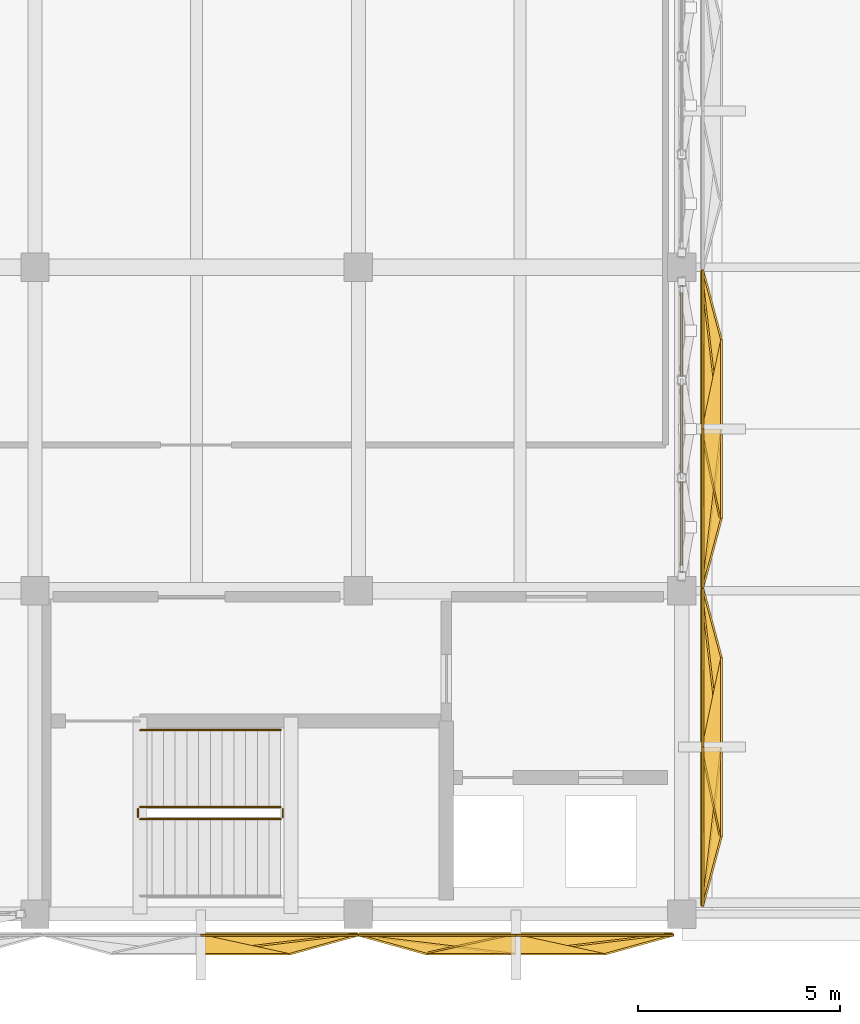
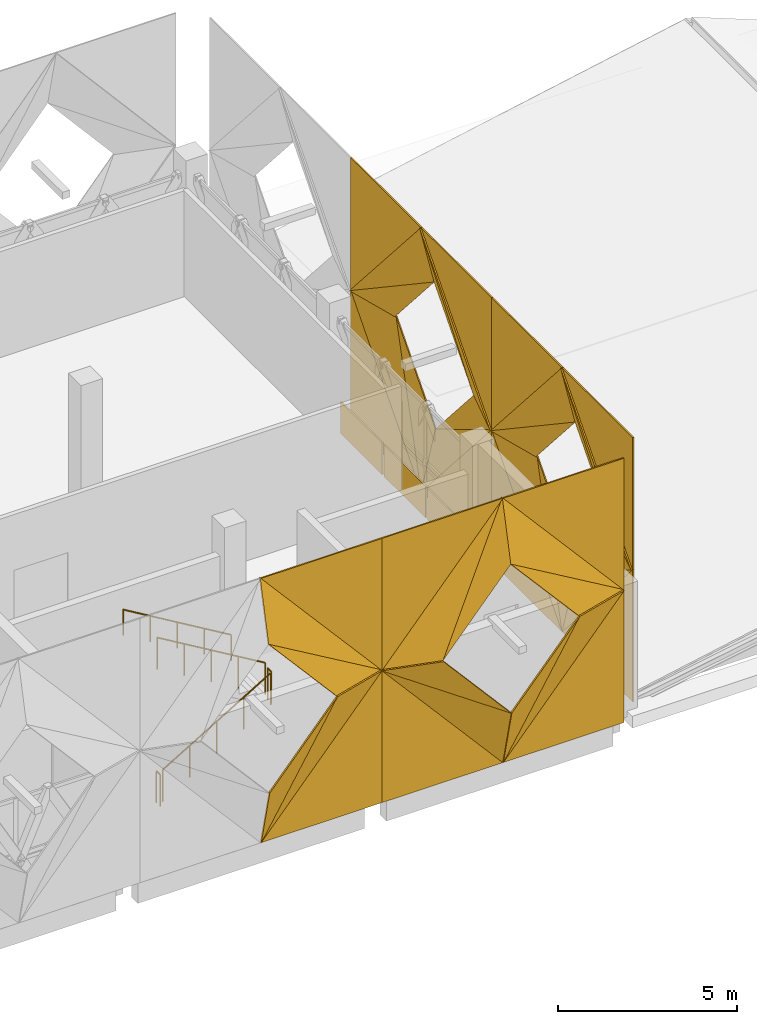
# One storey, part 32 of 37: 45 coverings, 5 railings.
"""IFC4 building model written with IfcOpenShell, lengths in metres."""

from ifc_helpers import new_model, si_unit, direction, frame, origin, origin_2d, place, context, subcontext, project, spatial, polyline, rectangle, circle, outline, extrude, material, layer, layer_set, type_object, element, save


model = new_model("IFC4")

# Units and contexts
model_context = context("Model", 3, precision=1e-05, world=origin(), true_north=direction((0.0, 1.0)))
body_context = subcontext(model_context, "Body", "Model", "MODEL_VIEW")
ifc_project = project(units=[si_unit("LENGTHUNIT", "METRE"), si_unit("AREAUNIT", "SQUARE_METRE"), si_unit("VOLUMEUNIT", "CUBIC_METRE"), si_unit("PLANEANGLEUNIT", "RADIAN"), si_unit("MASSUNIT", "GRAM", prefix="KILO")], contexts=[model_context])

# Site, building, storey
site_placement = place(None, origin())
site = spatial("IfcSite", under=ifc_project, at=site_placement, CompositionType="ELEMENT")
building_placement = place(site_placement, origin())
building = spatial("IfcBuilding", under=site, at=building_placement, Name="Qorikala Patio Media Centre", CompositionType="ELEMENT")
storey_placement = place(building_placement, frame((0.0, 0.0, 14.39990234375)))
storey = spatial("IfcBuildingStorey", under=building, at=storey_placement, Name="L03", CompositionType="ELEMENT", Elevation=14.39990234375)

# Coverings
ifc_material_1 = material(Name="Golden Bronze Anodised Aluminium Panel", Category="aluminium")
ifc_layer = layer(ifc_material_1, 0.044921875)
ifc_layer_set = layer_set([ifc_layer], Name="Golden Bronze Anodised Aluminium Panel")
covering_type = type_object("IfcCoveringType", Name="COV-CLAD-GOLD", PredefinedType="CLADDING", material=ifc_layer_set)
for number, where, z_axis, x_axis, name in (
    (1, (98.0, 17.4267578125, 0.0), (0.0, 0.0, 1.0), (0.0, -1.0, 0.0), "L03 Golden Diamond Fold Spandrel 076"),
    (2, (98.0, 15.0, 0.0), (0.0, 0.0, 1.0), (0.0, -1.0, 0.0), "L03 Golden Diamond Fold Spandrel 077"),
    (3, (98.0, 12.5732421875, 0.0), (0.0, 0.0, 1.0), (0.0, -1.0, 0.0), "L03 Golden Diamond Fold Spandrel 078"),
):
    element("IfcCovering", number, at=place(storey_placement, frame(where, z_axis=z_axis, x_axis=x_axis)), inside=storey, type_object=covering_type, Name=name, PredefinedType="CLADDING", context=body_context, shape_type="SweptSolid", body=[
        extrude(rectangle(XDim=2.32666015625, YDim=0.044921875, at=origin_2d()), origin(), (0.0, 0.0, 1.0), 1.077880859375),
    ])
covering_1_placement = place(storey_placement, frame((90.0, 2.5, 4.5), z_axis=(0.259973591034, -0.938962979761, 0.225304803775), x_axis=(-0.654921173069, 0.0, 0.755697199324)))
element("IfcCovering", 4, at=covering_1_placement, inside=storey, type_object=covering_type, Name="Golden Folded Diamond Facet S-2.6.TRA", PredefinedType="CLADDING", context=body_context, shape_type="SweptSolid", body=[
    extrude(outline(polyline([(0.0, 0.0), (5.9547660147806605, -4.440892098500626e-16), (4.458500319829892, 1.3810247679600853), (0.0, 0.0)])), origin(), (0.0, 0.0, -1.0), 0.044921875),
])
covering_2_placement = place(storey_placement, frame((90.0, 2.5, 4.5), z_axis=(0.25995773344, -0.938973745299, 0.225278233445), x_axis=(-0.83554610606, -0.10178870179, 0.539909033852)))
element("IfcCovering", 5, at=covering_2_placement, inside=storey, type_object=covering_type, Name="Golden Folded Diamond Facet S-2.6.TRB", PredefinedType="CLADDING", context=body_context, shape_type="SweptSolid", body=[
    extrude(outline(polyline([(0.0, 0.0), (4.667489101395145, -4.440892098500626e-16), (1.4822105452103993, 0.9867354710967576), (0.0, 0.0)])), origin(), (0.0, 0.0, -1.0), 0.044921875),
])
covering_3_placement = place(storey_placement, frame((86.10009765625, 2.5, 0.0), z_axis=(-0.259956982212, 0.938971031843, 0.225290409823), x_axis=(0.654921173069, 0.0, 0.755697199324)))
element("IfcCovering", 6, at=covering_3_placement, inside=storey, type_object=covering_type, Name="Golden Folded Diamond Facet S-2.6.BRA", PredefinedType="CLADDING", context=body_context, shape_type="SweptSolid", body=[
    extrude(outline(polyline([(0.0, 0.0), (5.9547660147806605, -4.440892098500626e-16), (4.830879070078474, -1.38111300253869), (0.0, 0.0)])), origin(), (0.0, 0.0, -1.0), 0.044921875),
])
covering_4_placement = place(storey_placement, frame((86.10009765625, 2.5, 0.0), z_axis=(-0.259987393467, 0.938959366186, 0.225303936695), x_axis=(0.434644175798, -0.094557581454, 0.895624533069)))
element("IfcCovering", 7, at=covering_4_placement, inside=storey, type_object=covering_type, Name="Golden Folded Diamond Facet S-2.6.BRB", PredefinedType="CLADDING", context=body_context, shape_type="SweptSolid", body=[
    extrude(outline(polyline([(0.0, 0.0), (5.02442690418556, -2.220446049250313e-16), (1.8182431681390123, -0.9165327168855022), (0.0, 0.0)])), origin(), (0.0, 0.0, -1.0), 0.044921875),
])
covering_5_placement = place(storey_placement, frame((90.0, 2.5, 9.0), z_axis=(0.0, 1.0, 0.0), x_axis=(0.0, 0.0, -1.0)))
element("IfcCovering", 8, at=covering_5_placement, inside=storey, type_object=covering_type, Name="Golden Diamond Valley Spandrel S-2.6.CTR", PredefinedType="CLADDING", context=body_context, shape_type="SweptSolid", body=[
    extrude(outline(polyline([(0.0, 0.0), (4.5, 0.0), (0.0, 3.89990234375), (0.0, 0.0)])), origin(), (0.0, 0.0, -1.0), 0.044921875),
])
covering_6_placement = place(storey_placement, frame((90.0, 2.5, 0.0), z_axis=(0.0, 1.0, 0.0), x_axis=(-1.0, 0.0, 0.0)))
element("IfcCovering", 9, at=covering_6_placement, inside=storey, type_object=covering_type, Name="Golden Diamond Valley Spandrel S-2.6.CBR", PredefinedType="CLADDING", context=body_context, shape_type="SweptSolid", body=[
    extrude(outline(polyline([(0.0, 0.0), (3.89990234375, 0.0), (0.0, 4.5), (0.0, 0.0)])), origin(), (0.0, 0.0, -1.0), 0.044921875),
])
covering_7_placement = place(storey_placement, frame((93.89990234375, 2.5, 9.0), z_axis=(-0.259956982212, -0.938971031843, 0.225290409823), x_axis=(-0.654921173069, 0.0, -0.755697199324)))
element("IfcCovering", 10, at=covering_7_placement, inside=storey, type_object=covering_type, Name="Golden Folded Diamond Facet S-2.7.TLA", PredefinedType="CLADDING", context=body_context, shape_type="SweptSolid", body=[
    extrude(outline(polyline([(0.0, 0.0), (5.9547660147806605, 4.440892098500626e-16), (4.830879070078474, 1.38111300253869), (0.0, 0.0)])), origin(), (0.0, 0.0, -1.0), 0.044921875),
])
covering_8_placement = place(storey_placement, frame((93.89990234375, 2.5, 9.0), z_axis=(-0.259987393467, -0.938959366186, 0.225303936695), x_axis=(-0.434644175798, -0.094557581454, -0.895624533069)))
element("IfcCovering", 11, at=covering_8_placement, inside=storey, type_object=covering_type, Name="Golden Folded Diamond Facet S-2.7.TLB", PredefinedType="CLADDING", context=body_context, shape_type="SweptSolid", body=[
    extrude(outline(polyline([(0.0, 0.0), (5.02442690418556, 2.220446049250313e-16), (1.8182431681390123, 0.9165327168855022), (0.0, 0.0)])), origin(), (0.0, 0.0, -1.0), 0.044921875),
])
covering_9_placement = place(storey_placement, frame((97.800048828125, 2.5, 4.5), z_axis=(0.259958417044, -0.938966952181, 0.22530575696), x_axis=(-0.654944585876, 0.0, 0.755676908098)))
element("IfcCovering", 12, at=covering_9_placement, inside=storey, type_object=covering_type, Name="Golden Folded Diamond Facet S-2.7.TRA", PredefinedType="CLADDING", context=body_context, shape_type="SweptSolid", body=[
    extrude(outline(polyline([(0.0, 0.0), (5.954925910503226, 0.0), (4.458700391784378, 1.3810682954655882), (0.0, 0.0)])), origin(), (0.0, 0.0, -1.0), 0.044921875),
])
covering_10_placement = place(storey_placement, frame((97.800048828125, 2.5, 4.5), z_axis=(0.259956258476, -0.938968417692, 0.225302139927), x_axis=(-0.835561894446, -0.101784253308, 0.539885438152)))
element("IfcCovering", 13, at=covering_10_placement, inside=storey, type_object=covering_type, Name="Golden Folded Diamond Facet S-2.7.TRB", PredefinedType="CLADDING", context=body_context, shape_type="SweptSolid", body=[
    extrude(outline(polyline([(0.0, 0.0), (4.667693094071031, 8.881784197001252e-16), (1.4822355256344402, 0.9866979460810914), (0.0, 0.0)])), origin(), (0.0, 0.0, -1.0), 0.044921875),
])
covering_11_placement = place(storey_placement, frame((93.89990234375, 2.5, 0.0), z_axis=(-0.259956156203, 0.938968048279, 0.22530379749), x_axis=(0.654944585876, 0.0, 0.755676908098)))
element("IfcCovering", 14, at=covering_11_placement, inside=storey, type_object=covering_type, Name="Golden Folded Diamond Facet S-2.7.BRA", PredefinedType="CLADDING", context=body_context, shape_type="SweptSolid", body=[
    extrude(outline(polyline([(0.0, 0.0), (5.954925910503226, 0.0), (4.830998787915266, -1.3810803066312252), (0.0, 0.0)])), origin(), (0.0, 0.0, -1.0), 0.044921875),
])
covering_12_placement = place(storey_placement, frame((93.89990234375, 2.5, 0.0), z_axis=(-0.259960295692, 0.938966460381, 0.225305638952), x_axis=(0.434683585743, -0.094555584379, 0.895605617305)))
element("IfcCovering", 15, at=covering_12_placement, inside=storey, type_object=covering_type, Name="Golden Folded Diamond Facet S-2.7.BRB", PredefinedType="CLADDING", context=body_context, shape_type="SweptSolid", body=[
    extrude(outline(polyline([(0.0, 0.0), (5.024533023297128, 0.0), (1.8182047664907954, -0.9166088951760534), (0.0, 0.0)])), origin(), (0.0, 0.0, -1.0), 0.044921875),
])
covering_13_placement = place(storey_placement, frame((90.0, 2.5, 4.5), z_axis=(0.259973591034, 0.938962979761, 0.225304803775), x_axis=(0.654921173069, 0.0, -0.755697199324)))
element("IfcCovering", 16, at=covering_13_placement, inside=storey, type_object=covering_type, Name="Golden Folded Diamond Facet S-2.7.BLA", PredefinedType="CLADDING", context=body_context, shape_type="SweptSolid", body=[
    extrude(outline(polyline([(0.0, 0.0), (5.9547660147806605, 4.440892098500626e-16), (4.458500319829892, -1.3810247679600853), (0.0, 0.0)])), origin(), (0.0, 0.0, -1.0), 0.044921875),
])
covering_14_placement = place(storey_placement, frame((90.0, 2.5, 4.5), z_axis=(0.25995773344, 0.938973745299, 0.225278233445), x_axis=(0.83554610606, -0.10178870179, -0.539909033852)))
element("IfcCovering", 17, at=covering_14_placement, inside=storey, type_object=covering_type, Name="Golden Folded Diamond Facet S-2.7.BLB", PredefinedType="CLADDING", context=body_context, shape_type="SweptSolid", body=[
    extrude(outline(polyline([(0.0, 0.0), (4.667489101395145, 4.440892098500626e-16), (1.4822105452103993, -0.9867354710967576), (0.0, 0.0)])), origin(), (0.0, 0.0, -1.0), 0.044921875),
])
covering_15_placement = place(storey_placement, frame((90.0, 2.5, 9.0), z_axis=(0.0, 1.0, 0.0), x_axis=(1.0, 0.0, 0.0)))
element("IfcCovering", 18, at=covering_15_placement, inside=storey, type_object=covering_type, Name="Golden Diamond Valley Spandrel S-2.7.CTL", PredefinedType="CLADDING", context=body_context, shape_type="SweptSolid", body=[
    extrude(outline(polyline([(0.0, 0.0), (3.89990234375, 0.0), (0.0, 4.5), (0.0, 0.0)])), origin(), (0.0, 0.0, -1.0), 0.044921875),
])
covering_16_placement = place(storey_placement, frame((97.800048828125, 2.5, 9.0), z_axis=(0.0, 1.0, 0.0), x_axis=(0.0, 0.0, -1.0)))
element("IfcCovering", 19, at=covering_16_placement, inside=storey, type_object=covering_type, Name="Golden Diamond Valley Spandrel S-2.7.CTR", PredefinedType="CLADDING", context=body_context, shape_type="SweptSolid", body=[
    extrude(outline(polyline([(0.0, 0.0), (4.5, 0.0), (0.0, 3.900146484375), (0.0, 0.0)])), origin(), (0.0, 0.0, -1.0), 0.044921875),
])
covering_17_placement = place(storey_placement, frame((97.800048828125, 2.5, 0.0), z_axis=(0.0, 1.0, 0.0), x_axis=(-1.0, 0.0, 0.0)))
element("IfcCovering", 20, at=covering_17_placement, inside=storey, type_object=covering_type, Name="Golden Diamond Valley Spandrel S-2.7.CBR", PredefinedType="CLADDING", context=body_context, shape_type="SweptSolid", body=[
    extrude(outline(polyline([(0.0, 0.0), (3.900146484375, 0.0), (0.0, 4.5), (0.0, 0.0)])), origin(), (0.0, 0.0, -1.0), 0.044921875),
])
covering_18_placement = place(storey_placement, frame((90.0, 2.5, 0.0), z_axis=(0.0, 1.0, 0.0), x_axis=(0.0, 0.0, 1.0)))
element("IfcCovering", 21, at=covering_18_placement, inside=storey, type_object=covering_type, Name="Golden Diamond Valley Spandrel S-2.7.CBL", PredefinedType="CLADDING", context=body_context, shape_type="SweptSolid", body=[
    extrude(outline(polyline([(0.0, 0.0), (4.5, 0.0), (0.0, 3.89990234375), (0.0, 0.0)])), origin(), (0.0, 0.0, -1.0), 0.044921875),
])
covering_19_placement = place(storey_placement, frame((98.5, 7.13330078125, 9.0), z_axis=(0.942535422907, -0.251555511375, 0.219879060534), x_axis=(0.0, -0.658111214955, -0.75292073205)))
element("IfcCovering", 22, at=covering_19_placement, inside=storey, type_object=covering_type, Name="Golden Folded Diamond East Facet 1.TLA", PredefinedType="CLADDING", context=body_context, shape_type="SweptSolid", body=[
    extrude(outline(polyline([(0.0, 0.0), (5.976724784492797, 0.0), (4.837723221305071, 1.3825364913689306), (0.0, 0.0)])), origin(), (0.0, 0.0, -1.0), 0.044921875),
])
covering_20_placement = place(storey_placement, frame((98.5, 7.13330078125, 9.0), z_axis=(0.942530490154, -0.251568765173, 0.219885041599), x_axis=(0.09180629242, -0.437778208357, -0.894383499937)))
element("IfcCovering", 23, at=covering_20_placement, inside=storey, type_object=covering_type, Name="Golden Folded Diamond East Facet 1.TLB", PredefinedType="CLADDING", context=body_context, shape_type="SweptSolid", body=[
    extrude(outline(polyline([(0.0, 0.0), (5.031398723607683, 0.0), (1.8132684789426818, 0.9196437794274569), (0.0, 0.0)])), origin(), (0.0, 0.0, -1.0), 0.044921875),
])
covering_21_placement = place(storey_placement, frame((98.5, 11.066650390625, 4.5), z_axis=(0.942532010278, 0.251562759814, 0.219885396233), x_axis=(0.0, -0.658111214955, 0.75292073205)))
element("IfcCovering", 24, at=covering_21_placement, inside=storey, type_object=covering_type, Name="Golden Folded Diamond East Facet 1.TRA", PredefinedType="CLADDING", context=body_context, shape_type="SweptSolid", body=[
    extrude(outline(polyline([(0.0, 0.0), (5.976724784492797, 4.440892098500626e-16), (4.4859564405174055, 1.3824966554634395), (0.0, 0.0)])), origin(), (0.0, 0.0, -1.0), 0.044921875),
])
covering_22_placement = place(storey_placement, frame((98.5, 11.066650390625, 4.5), z_axis=(0.942536584183, 0.251555821311, 0.219873727947), x_axis=(0.098401937505, -0.837924743732, 0.536841859897)))
element("IfcCovering", 25, at=covering_22_placement, inside=storey, type_object=covering_type, Name="Golden Folded Diamond East Facet 1.TRB", PredefinedType="CLADDING", context=body_context, shape_type="SweptSolid", body=[
    extrude(outline(polyline([(0.0, 0.0), (4.694156174285981, 4.440892098500626e-16), (1.4956603940607722, 0.9857645238842659), (0.0, 0.0)])), origin(), (0.0, 0.0, -1.0), 0.044921875),
])
covering_23_placement = place(storey_placement, frame((98.5, 7.13330078125, 0.0), z_axis=(-0.942535422907, -0.251555511375, 0.219879060534), x_axis=(0.0, 0.658111214955, 0.75292073205)))
element("IfcCovering", 26, at=covering_23_placement, inside=storey, type_object=covering_type, Name="Golden Folded Diamond East Facet 1.BRA", PredefinedType="CLADDING", context=body_context, shape_type="SweptSolid", body=[
    extrude(outline(polyline([(0.0, 0.0), (5.976724784492797, 0.0), (4.837723221305071, -1.3825364913689306), (0.0, 0.0)])), origin(), (0.0, 0.0, -1.0), 0.044921875),
])
covering_24_placement = place(storey_placement, frame((98.5, 7.13330078125, 0.0), z_axis=(-0.942530490154, -0.251568765173, 0.219885041599), x_axis=(0.09180629242, 0.437778208357, 0.894383499937)))
element("IfcCovering", 27, at=covering_24_placement, inside=storey, type_object=covering_type, Name="Golden Folded Diamond East Facet 1.BRB", PredefinedType="CLADDING", context=body_context, shape_type="SweptSolid", body=[
    extrude(outline(polyline([(0.0, 0.0), (5.031398723607683, 0.0), (1.8132684789426818, -0.9196437794274569), (0.0, 0.0)])), origin(), (0.0, 0.0, -1.0), 0.044921875),
])
covering_25_placement = place(storey_placement, frame((98.5, 3.199951171875, 4.5), z_axis=(-0.942532010278, 0.251562759814, 0.219885396233), x_axis=(0.0, 0.658111214955, -0.75292073205)))
element("IfcCovering", 28, at=covering_25_placement, inside=storey, type_object=covering_type, Name="Golden Folded Diamond East Facet 1.BLA", PredefinedType="CLADDING", context=body_context, shape_type="SweptSolid", body=[
    extrude(outline(polyline([(0.0, 0.0), (5.976724784492797, -4.440892098500626e-16), (4.4859564405174055, -1.3824966554634395), (0.0, 0.0)])), origin(), (0.0, 0.0, -1.0), 0.044921875),
])
covering_26_placement = place(storey_placement, frame((98.5, 3.199951171875, 4.5), z_axis=(-0.942536584183, 0.251555821311, 0.219873727947), x_axis=(0.098401937505, 0.837924743732, -0.536841859897)))
element("IfcCovering", 29, at=covering_26_placement, inside=storey, type_object=covering_type, Name="Golden Folded Diamond East Facet 1.BLB", PredefinedType="CLADDING", context=body_context, shape_type="SweptSolid", body=[
    extrude(outline(polyline([(0.0, 0.0), (4.694156174285981, -4.440892098500626e-16), (1.4956603940607722, -0.9857645238842659), (0.0, 0.0)])), origin(), (0.0, 0.0, -1.0), 0.044921875),
])
covering_27_placement = place(storey_placement, frame((98.5, 3.199951171875, 9.0), z_axis=(-1.0, 0.0, 0.0), x_axis=(0.0, 1.0, 0.0)))
element("IfcCovering", 30, at=covering_27_placement, inside=storey, type_object=covering_type, Name="Golden Diamond East Valley Spandrel 1.CTL", PredefinedType="CLADDING", context=body_context, shape_type="SweptSolid", body=[
    extrude(outline(polyline([(0.0, 0.0), (3.933349609375, 0.0), (0.0, 4.5), (0.0, 0.0)])), origin(), (0.0, 0.0, -1.0), 0.044921875),
])
covering_28_placement = place(storey_placement, frame((98.5, 11.066650390625, 9.0), z_axis=(-1.0, 0.0, 0.0), x_axis=(0.0, 0.0, -1.0)))
element("IfcCovering", 31, at=covering_28_placement, inside=storey, type_object=covering_type, Name="Golden Diamond East Valley Spandrel 1.CTR", PredefinedType="CLADDING", context=body_context, shape_type="SweptSolid", body=[
    extrude(outline(polyline([(0.0, 0.0), (4.5, 0.0), (0.0, 3.933349609375), (0.0, 0.0)])), origin(), (0.0, 0.0, -1.0), 0.044921875),
])
covering_29_placement = place(storey_placement, frame((98.5, 11.066650390625, 0.0), z_axis=(-1.0, 0.0, 0.0), x_axis=(0.0, -1.0, 0.0)))
element("IfcCovering", 32, at=covering_29_placement, inside=storey, type_object=covering_type, Name="Golden Diamond East Valley Spandrel 1.CBR", PredefinedType="CLADDING", context=body_context, shape_type="SweptSolid", body=[
    extrude(outline(polyline([(0.0, 0.0), (3.933349609375, 0.0), (0.0, 4.5), (0.0, 0.0)])), origin(), (0.0, 0.0, -1.0), 0.044921875),
])
covering_30_placement = place(storey_placement, frame((98.5, 3.199951171875, 0.0), z_axis=(-1.0, 0.0, 0.0), x_axis=(0.0, 0.0, 1.0)))
element("IfcCovering", 33, at=covering_30_placement, inside=storey, type_object=covering_type, Name="Golden Diamond East Valley Spandrel 1.CBL", PredefinedType="CLADDING", context=body_context, shape_type="SweptSolid", body=[
    extrude(outline(polyline([(0.0, 0.0), (4.5, 0.0), (0.0, 3.933349609375), (0.0, 0.0)])), origin(), (0.0, 0.0, -1.0), 0.044921875),
])
covering_31_placement = place(storey_placement, frame((98.5, 15.0, 9.0), z_axis=(0.942535422907, -0.251555511375, 0.219879060534), x_axis=(0.0, -0.658111214955, -0.75292073205)))
element("IfcCovering", 34, at=covering_31_placement, inside=storey, type_object=covering_type, Name="Golden Folded Diamond East Facet 2.TLA", PredefinedType="CLADDING", context=body_context, shape_type="SweptSolid", body=[
    extrude(outline(polyline([(0.0, 0.0), (5.976724784492797, 0.0), (4.837723221305071, 1.3825364913689306), (0.0, 0.0)])), origin(), (0.0, 0.0, -1.0), 0.044921875),
])
covering_32_placement = place(storey_placement, frame((98.5, 15.0, 9.0), z_axis=(0.942530490154, -0.251568765173, 0.219885041599), x_axis=(0.09180629242, -0.437778208357, -0.894383499937)))
element("IfcCovering", 35, at=covering_32_placement, inside=storey, type_object=covering_type, Name="Golden Folded Diamond East Facet 2.TLB", PredefinedType="CLADDING", context=body_context, shape_type="SweptSolid", body=[
    extrude(outline(polyline([(0.0, 0.0), (5.031398723607683, 0.0), (1.8132684789426818, 0.9196437794274569), (0.0, 0.0)])), origin(), (0.0, 0.0, -1.0), 0.044921875),
])
covering_33_placement = place(storey_placement, frame((98.5, 18.933349609375, 4.5), z_axis=(0.942532010278, 0.251562759814, 0.219885396233), x_axis=(0.0, -0.658111214955, 0.75292073205)))
element("IfcCovering", 36, at=covering_33_placement, inside=storey, type_object=covering_type, Name="Golden Folded Diamond East Facet 2.TRA", PredefinedType="CLADDING", context=body_context, shape_type="SweptSolid", body=[
    extrude(outline(polyline([(0.0, 0.0), (5.976724784492797, 4.440892098500626e-16), (4.4859564405174055, 1.3824966554634395), (0.0, 0.0)])), origin(), (0.0, 0.0, -1.0), 0.044921875),
])
covering_34_placement = place(storey_placement, frame((98.5, 18.933349609375, 4.5), z_axis=(0.942536584183, 0.251555821311, 0.219873727947), x_axis=(0.098401937505, -0.837924743732, 0.536841859897)))
element("IfcCovering", 37, at=covering_34_placement, inside=storey, type_object=covering_type, Name="Golden Folded Diamond East Facet 2.TRB", PredefinedType="CLADDING", context=body_context, shape_type="SweptSolid", body=[
    extrude(outline(polyline([(0.0, 0.0), (4.694156174285981, 4.440892098500626e-16), (1.4956603940607722, 0.9857645238842659), (0.0, 0.0)])), origin(), (0.0, 0.0, -1.0), 0.044921875),
])
covering_35_placement = place(storey_placement, frame((98.5, 15.0, 0.0), z_axis=(-0.942535422907, -0.251555511375, 0.219879060534), x_axis=(0.0, 0.658111214955, 0.75292073205)))
element("IfcCovering", 38, at=covering_35_placement, inside=storey, type_object=covering_type, Name="Golden Folded Diamond East Facet 2.BRA", PredefinedType="CLADDING", context=body_context, shape_type="SweptSolid", body=[
    extrude(outline(polyline([(0.0, 0.0), (5.976724784492797, 0.0), (4.837723221305071, -1.3825364913689306), (0.0, 0.0)])), origin(), (0.0, 0.0, -1.0), 0.044921875),
])
covering_36_placement = place(storey_placement, frame((98.5, 15.0, 0.0), z_axis=(-0.942530490154, -0.251568765173, 0.219885041599), x_axis=(0.09180629242, 0.437778208357, 0.894383499937)))
element("IfcCovering", 39, at=covering_36_placement, inside=storey, type_object=covering_type, Name="Golden Folded Diamond East Facet 2.BRB", PredefinedType="CLADDING", context=body_context, shape_type="SweptSolid", body=[
    extrude(outline(polyline([(0.0, 0.0), (5.031398723607683, 0.0), (1.8132684789426818, -0.9196437794274569), (0.0, 0.0)])), origin(), (0.0, 0.0, -1.0), 0.044921875),
])
covering_37_placement = place(storey_placement, frame((98.5, 11.066650390625, 4.5), z_axis=(-0.942532010278, 0.251562759814, 0.219885396233), x_axis=(0.0, 0.658111214955, -0.75292073205)))
element("IfcCovering", 40, at=covering_37_placement, inside=storey, type_object=covering_type, Name="Golden Folded Diamond East Facet 2.BLA", PredefinedType="CLADDING", context=body_context, shape_type="SweptSolid", body=[
    extrude(outline(polyline([(0.0, 0.0), (5.976724784492797, -4.440892098500626e-16), (4.4859564405174055, -1.3824966554634395), (0.0, 0.0)])), origin(), (0.0, 0.0, -1.0), 0.044921875),
])
covering_38_placement = place(storey_placement, frame((98.5, 11.066650390625, 4.5), z_axis=(-0.942536584183, 0.251555821311, 0.219873727947), x_axis=(0.098401937505, 0.837924743732, -0.536841859897)))
element("IfcCovering", 41, at=covering_38_placement, inside=storey, type_object=covering_type, Name="Golden Folded Diamond East Facet 2.BLB", PredefinedType="CLADDING", context=body_context, shape_type="SweptSolid", body=[
    extrude(outline(polyline([(0.0, 0.0), (4.694156174285981, -4.440892098500626e-16), (1.4956603940607722, -0.9857645238842659), (0.0, 0.0)])), origin(), (0.0, 0.0, -1.0), 0.044921875),
])
covering_39_placement = place(storey_placement, frame((98.5, 11.066650390625, 9.0), z_axis=(-1.0, 0.0, 0.0), x_axis=(0.0, 1.0, 0.0)))
element("IfcCovering", 42, at=covering_39_placement, inside=storey, type_object=covering_type, Name="Golden Diamond East Valley Spandrel 2.CTL", PredefinedType="CLADDING", context=body_context, shape_type="SweptSolid", body=[
    extrude(outline(polyline([(0.0, 0.0), (3.933349609375, 0.0), (0.0, 4.5), (0.0, 0.0)])), origin(), (0.0, 0.0, -1.0), 0.044921875),
])
covering_40_placement = place(storey_placement, frame((98.5, 18.933349609375, 9.0), z_axis=(-1.0, 0.0, 0.0), x_axis=(0.0, 0.0, -1.0)))
element("IfcCovering", 43, at=covering_40_placement, inside=storey, type_object=covering_type, Name="Golden Diamond East Valley Spandrel 2.CTR", PredefinedType="CLADDING", context=body_context, shape_type="SweptSolid", body=[
    extrude(outline(polyline([(0.0, 0.0), (4.5, 0.0), (0.0, 3.933349609375), (0.0, 0.0)])), origin(), (0.0, 0.0, -1.0), 0.044921875),
])
covering_41_placement = place(storey_placement, frame((98.5, 18.933349609375, 0.0), z_axis=(-1.0, 0.0, 0.0), x_axis=(0.0, -1.0, 0.0)))
element("IfcCovering", 44, at=covering_41_placement, inside=storey, type_object=covering_type, Name="Golden Diamond East Valley Spandrel 2.CBR", PredefinedType="CLADDING", context=body_context, shape_type="SweptSolid", body=[
    extrude(outline(polyline([(0.0, 0.0), (3.933349609375, 0.0), (0.0, 4.5), (0.0, 0.0)])), origin(), (0.0, 0.0, -1.0), 0.044921875),
])
covering_42_placement = place(storey_placement, frame((98.5, 11.066650390625, 0.0), z_axis=(-1.0, 0.0, 0.0), x_axis=(0.0, 0.0, 1.0)))
element("IfcCovering", 45, at=covering_42_placement, inside=storey, type_object=covering_type, Name="Golden Diamond East Valley Spandrel 2.CBL", PredefinedType="CLADDING", context=body_context, shape_type="SweptSolid", body=[
    extrude(outline(polyline([(0.0, 0.0), (4.5, 0.0), (0.0, 3.933349609375), (0.0, 0.0)])), origin(), (0.0, 0.0, -1.0), 0.044921875),
])

# Railings
ifc_material_2 = material(Name="Wrought Bronze and Steel S355", Category="steel")
railing_type_1 = type_object("IfcRailingType", Name="RL-GUARD-110", PredefinedType="GUARDRAIL", material=ifc_material_2)
railing_1_placement = place(storey_placement, frame((84.60009765625, 5.35009765625, 0.173095703125)))
element("IfcRailing", 46, at=railing_1_placement, inside=storey, type_object=railing_type_1, Name="L03 ST-4 stair guard 1", PredefinedType="GUARDRAIL", context=body_context, shape_type="SweptSolid", body=[
    extrude(circle(Radius=0.02392578125, at=origin_2d()), frame((0.0, 0.0, 1.076171875), z_axis=(0.858697190188, 0.0, 0.512483302717), x_axis=(0.0, 1.0, 0.0)), (0.0, 0.0, 1.0), 4.052734375),
    extrude(circle(Radius=0.02099609375, at=origin_2d()), origin(), (0.0, 0.0, 1.0), 1.052001953125),
    extrude(circle(Radius=0.02099609375, at=origin_2d()), frame((0.8701171875, 0.0, 0.519287109375)), (0.0, 0.0, 1.0), 1.052001953125),
    extrude(circle(Radius=0.02099609375, at=origin_2d()), frame((1.739990234375, 0.0, 1.03857421875)), (0.0, 0.0, 1.0), 1.052001953125),
    extrude(circle(Radius=0.02099609375, at=origin_2d()), frame((2.60986328125, 0.0, 1.5576171875)), (0.0, 0.0, 1.0), 1.052001953125),
    extrude(circle(Radius=0.02099609375, at=origin_2d()), frame((3.47998046875, 0.0, 2.076904296875)), (0.0, 0.0, 1.0), 1.052001953125),
])
railing_2_placement = place(storey_placement, frame((88.1298828125, 5.39990234375, 2.25)))
element("IfcRailing", 47, at=railing_2_placement, inside=storey, type_object=railing_type_1, Name="L03 ST-4 stair guard 2", PredefinedType="GUARDRAIL", context=body_context, shape_type="SweptSolid", body=[
    extrude(circle(Radius=0.02392578125, at=origin_2d()), frame((0.0, 0.0, 1.076171875), z_axis=(0.0, 1.0, 0.0), x_axis=(-1.0, 0.0, 0.0)), (0.0, 0.0, 1.0), 0.2001953125),
    extrude(circle(Radius=0.02099609375, at=origin_2d()), origin(), (0.0, 0.0, 1.0), 1.052001953125),
    extrude(circle(Radius=0.02099609375, at=origin_2d()), frame((0.0, 0.2001953125, 0.0)), (0.0, 0.0, 1.0), 1.052001953125),
])
railing_3_placement = place(storey_placement, frame((88.080078125, 5.64990234375, 2.423095703125)))
element("IfcRailing", 48, at=railing_3_placement, inside=storey, type_object=railing_type_1, Name="L03 ST-4 stair guard 3", PredefinedType="GUARDRAIL", context=body_context, shape_type="SweptSolid", body=[
    extrude(circle(Radius=0.02392578125, at=origin_2d()), frame((0.0, 0.0, 1.076171875), z_axis=(-0.858697190188, 0.0, 0.512483302717), x_axis=(0.0, -1.0, 0.0)), (0.0, 0.0, 1.0), 4.052734375),
    extrude(circle(Radius=0.02099609375, at=origin_2d()), origin(), (0.0, 0.0, 1.0), 1.052001953125),
    extrude(circle(Radius=0.02099609375, at=origin_2d()), frame((-0.8701171875, 0.0, 0.519287109375)), (0.0, 0.0, 1.0), 1.052001953125),
    extrude(circle(Radius=0.02099609375, at=origin_2d()), frame((-1.739990234375, 0.0, 1.03857421875)), (0.0, 0.0, 1.0), 1.052001953125),
    extrude(circle(Radius=0.02099609375, at=origin_2d()), frame((-2.60986328125, 0.0, 1.5576171875)), (0.0, 0.0, 1.0), 1.052001953125),
    extrude(circle(Radius=0.02099609375, at=origin_2d()), frame((-3.47998046875, 0.0, 2.076904296875)), (0.0, 0.0, 1.0), 1.052001953125),
])
railing_4_placement = place(storey_placement, frame((84.550048828125, 5.39990234375, 0.0)))
element("IfcRailing", 49, at=railing_4_placement, inside=storey, type_object=railing_type_1, Name="L03 ST-4 stair guard 4", PredefinedType="GUARDRAIL", context=body_context, shape_type="SweptSolid", body=[
    extrude(circle(Radius=0.02392578125, at=origin_2d()), frame((0.0, 0.0, 1.076171875), z_axis=(0.0, 1.0, 0.0), x_axis=(-1.0, 0.0, 0.0)), (0.0, 0.0, 1.0), 0.2001953125),
    extrude(circle(Radius=0.02099609375, at=origin_2d()), origin(), (0.0, 0.0, 1.0), 1.052001953125),
    extrude(circle(Radius=0.02099609375, at=origin_2d()), frame((0.0, 0.2001953125, 0.0)), (0.0, 0.0, 1.0), 1.052001953125),
])
ifc_material_3 = material(Name="Brushed Bronze Tubular Steel S355", Category="steel")
railing_type_2 = type_object("IfcRailingType", Name="RL-HAND-090", PredefinedType="HANDRAIL", material=ifc_material_3)
railing_5_placement = place(storey_placement, frame((88.080078125, 7.550048828125, 2.423095703125)))
element("IfcRailing", 50, at=railing_5_placement, inside=storey, type_object=railing_type_2, Name="L03 ST-4 stair handrail 2", PredefinedType="HANDRAIL", context=body_context, shape_type="SweptSolid", body=[
    extrude(circle(Radius=0.02392578125, at=origin_2d()), frame((0.0, 0.0, 0.8759765625), z_axis=(-0.858697190188, 0.0, 0.512483302717), x_axis=(0.0, -1.0, 0.0)), (0.0, 0.0, 1.0), 4.052734375),
    extrude(circle(Radius=0.02099609375, at=origin_2d()), origin(), (0.0, 0.0, 1.0), 0.851806640625),
    extrude(circle(Radius=0.02099609375, at=origin_2d()), frame((-0.8701171875, 0.0, 0.519287109375)), (0.0, 0.0, 1.0), 0.851806640625),
    extrude(circle(Radius=0.02099609375, at=origin_2d()), frame((-1.739990234375, 0.0, 1.03857421875)), (0.0, 0.0, 1.0), 0.851806640625),
    extrude(circle(Radius=0.02099609375, at=origin_2d()), frame((-2.60986328125, 0.0, 1.5576171875)), (0.0, 0.0, 1.0), 0.851806640625),
    extrude(circle(Radius=0.02099609375, at=origin_2d()), frame((-3.47998046875, 0.0, 2.076904296875)), (0.0, 0.0, 1.0), 0.851806640625),
])

save(model, "model.ifc")
